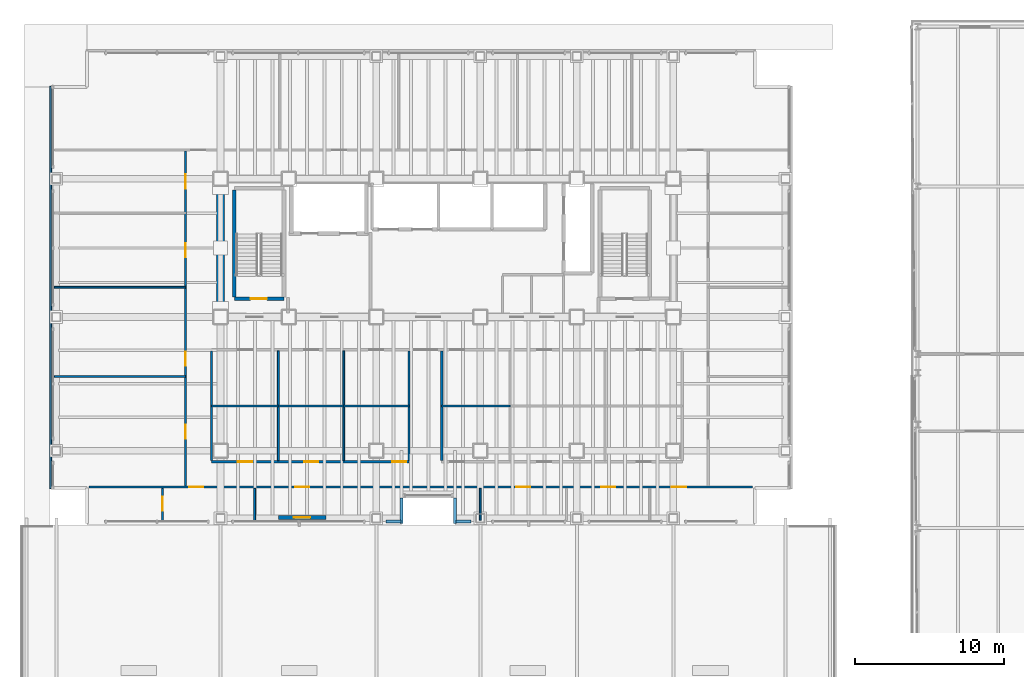
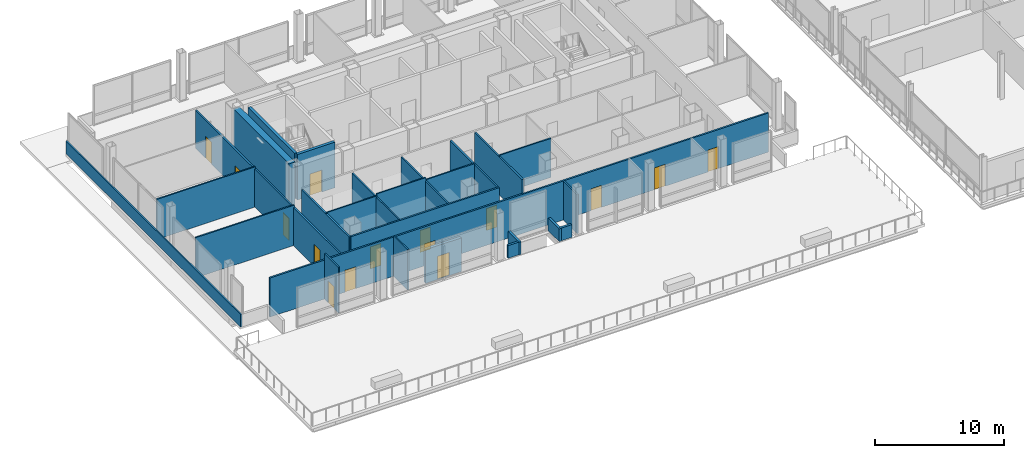
# One storey, part 26 of 34: 26 walls, 15 doors, 15 openings.
"""IFC4 building model written with IfcOpenShell, lengths in metres."""

from ifc_helpers import new_model, si_unit, direction, frame, frame_2d, origin, place, context, subcontext, project, spatial, rectangle, extrude, material, layer, layer_set, type_object, element, fill, save


model = new_model("IFC4")

# Units and contexts
model_context = context("Model", 3, precision=1e-05, world=origin(), true_north=direction((0.0, 1.0)))
body_context = subcontext(model_context, "Body", "Model", "MODEL_VIEW")
ifc_project = project(units=[si_unit("LENGTHUNIT", "METRE"), si_unit("AREAUNIT", "SQUARE_METRE"), si_unit("VOLUMEUNIT", "CUBIC_METRE"), si_unit("PLANEANGLEUNIT", "RADIAN"), si_unit("MASSUNIT", "GRAM", prefix="KILO")], contexts=[model_context])

# Site, building, storey
site_placement = place(None, origin())
site = spatial("IfcSite", under=ifc_project, at=site_placement, CompositionType="ELEMENT")
building_placement = place(site_placement, origin())
building = spatial("IfcBuilding", under=site, at=building_placement, Name="Noeulbin Bourse Tower", CompositionType="ELEMENT")
storey_placement = place(building_placement, frame((0.0, 0.0, 22.0)))
storey = spatial("IfcBuildingStorey", under=building, at=storey_placement, Name="L05", CompositionType="ELEMENT", Elevation=22.0)

# Wall
ifc_material_1 = material(Name="Concrete C60/75", Category="concrete")
ifc_layer_1 = layer(ifc_material_1, 0.550048828125)
ifc_layer_set_1 = layer_set([ifc_layer_1], Name="Concrete C60/75")
wall_type_1 = type_object("IfcWallType", Name="WAL-CORE-550", PredefinedType="SHEAR", material=ifc_layer_set_1)
wall_1_placement = place(storey_placement, frame((13.5, 29.35009765625, 0.0), z_axis=(0.0, 0.0, 1.0), x_axis=(0.0, 1.0, 0.0)))
element("IfcWall", 1, at=wall_1_placement, inside=storey, type_object=wall_type_1, Name="Rear Core West Shear Wall L05", PredefinedType="SHEAR", context=body_context, shape_type="SweptSolid", body=[
    extrude(rectangle(XDim=8.599853515625, YDim=0.550048828125, at=frame_2d((4.2998046875, 0.0))), origin(), (0.0, 0.0, 1.0), 4.320068359375),
])

# Wall, opening, door
ifc_material_2 = material(Name="Precast Concrete C40/50", Category="concrete")
ifc_layer_2 = layer(ifc_material_2, 0.25)
ifc_layer_set_2 = layer_set([ifc_layer_2], Name="Precast Concrete C40/50")
wall_type_2 = type_object("IfcWallType", Name="WAL-EXT-250", PredefinedType="STANDARD", material=ifc_layer_set_2)
wall_2_placement = place(storey_placement, frame((17.39990234375, 15.5, 0.0), z_axis=(0.0, 0.0, 1.0), x_axis=(1.0, 0.0, 0.0)))
wall_2 = element("IfcWall", 2, at=wall_2_placement, inside=storey, type_object=wall_type_2, Name="Podium Sky-Garden Threshold Wall L05", PredefinedType="STANDARD", context=body_context, shape_type="SweptSolid", body=[
    extrude(rectangle(XDim=3.2001953125, YDim=0.25, at=frame_2d((1.60009765625, 0.0))), origin(), (0.0, 0.0, 1.0), 3.199951171875),
])
opening_1_placement = place(wall_2_placement, frame((1.050048828125, 0.0, 0.0)))
opening_1 = element("IfcOpeningElement", 3, at=opening_1_placement, cuts=wall_2, Name="Opening BD-11", PredefinedType="OPENING", context=body_context, shape_type="SweptSolid", body=[
    extrude(rectangle(XDim=1.10009765625, YDim=2.199951171875, at=frame_2d((0.550048828125, 1.10009765625))), frame((0.0, 0.135009765625, 0.0), z_axis=(0.0, -1.0, 0.0), x_axis=(1.0, 0.0, 0.0)), (0.0, 0.0, 1.0), 0.27001953125),
])
ifc_material_3 = material(Name="Thermally Broken Aluminium Framed Glass", Category="aluminium")
door_type_1 = type_object("IfcDoorType", Name="DR-BAL-1100", OperationType="SINGLE_SWING_LEFT", PredefinedType="DOOR", material=ifc_material_3)
door_1_placement = place(opening_1_placement, origin())
door_1 = element("IfcDoor", 4, at=door_1_placement, inside=storey, type_object=door_type_1, Name="Podium Sky-Garden Access Door", OperationType="SINGLE_SWING_RIGHT", OverallHeight=2.199951171875, OverallWidth=1.10009765625, PredefinedType="DOOR", context=body_context, shape_type="SweptSolid", body=[
    extrude(rectangle(XDim=1.10009765625, YDim=2.199951171875, at=frame_2d((0.550048828125, 1.10009765625))), frame((0.0, 0.02490234375, 0.0), z_axis=(0.0, -1.0, 0.0), x_axis=(1.0, 0.0, 0.0)), (0.0, 0.0, 1.0), 0.050048828125),
])
fill(opening_1, door_1)

# Walls
ifc_material_4 = material(Name="Concrete C40/50", Category="concrete")
ifc_layer_3 = layer(ifc_material_4, 0.199951171875)
ifc_layer_set_3 = layer_set([ifc_layer_3], Name="Concrete C40/50")
wall_type_3 = type_object("IfcWallType", Name="WAL-PAR-200", PredefinedType="PARAPET", material=ifc_layer_set_3)
for number, where, z_axis, x_axis, name in (
    (5, (24.64501953125, 15.219970703125, 0.0), (0.0, 0.0, 1.0), (1.0, 0.0, 0.0), "Perimeter Pier Spandrel Parapet L05-S1"),
    (6, (29.35009765625, 15.219970703125, 0.0), (0.0, 0.0, 1.0), (1.0, 0.0, 0.0), "Perimeter Pier Spandrel Parapet L05-S2"),
):
    element("IfcWall", number, at=place(storey_placement, frame(where, z_axis=z_axis, x_axis=x_axis)), inside=storey, type_object=wall_type_3, Name=name, PredefinedType="PARAPET", context=body_context, shape_type="SweptSolid", body=[
        extrude(rectangle(XDim=1.0048828125, YDim=0.199951171875, at=frame_2d((0.50244140625, 0.0))), origin(), (0.0, 0.0, 1.0), 1.199951171875),
    ])
for number, where, z_axis, x_axis, name in (
    (7, (25.699951171875, 15.10009765625, 0.0), (0.0, 0.0, 1.0), (0.0, 1.0, 0.0), "Sky-Garden Recess Parapet L05-W"),
    (8, (29.300048828125, 16.800048828125, 0.0), (0.0, 0.0, 1.0), (0.0, -1.0, 0.0), "Sky-Garden Recess Parapet L05-E"),
):
    element("IfcWall", number, at=place(storey_placement, frame(where, z_axis=z_axis, x_axis=x_axis)), inside=storey, type_object=wall_type_3, Name=name, PredefinedType="PARAPET", context=body_context, shape_type="SweptSolid", body=[
        extrude(rectangle(XDim=1.699951171875, YDim=0.199951171875, at=frame_2d((0.85009765625, 0.0))), origin(), (0.0, 0.0, 1.0), 1.199951171875),
    ])
wall_3_placement = place(storey_placement, frame((2.070068359375, 17.449951171875, 0.0), z_axis=(0.0, 0.0, 1.0), x_axis=(0.0, 1.0, 0.0)))
element("IfcWall", 9, at=wall_3_placement, inside=storey, type_object=wall_type_3, Name="Tower Base West Step-Back Parapet L05", PredefinedType="PARAPET", context=body_context, shape_type="SweptSolid", body=[
    extrude(rectangle(XDim=27.10009765625, YDim=0.1201171875, at=frame_2d((13.550048828125, 0.0))), origin(), (0.0, 0.0, 1.0), 1.199951171875),
])
ifc_material_5 = material(Name="Steel Stud Gypsum Partition", Category="steel")
ifc_layer_4 = layer(ifc_material_5, 0.1201171875)
ifc_layer_set_4 = layer_set([ifc_layer_4], Name="Steel Stud Gypsum Partition")
wall_type_4 = type_object("IfcWallType", Name="WAL-PRT-120", PredefinedType="PARTITIONING", material=ifc_layer_set_4)
wall_4_placement = place(storey_placement, frame((12.89990234375, 23.0, 0.0), z_axis=(0.0, 0.0, 1.0), x_axis=(1.0, 0.0, 0.0)))
element("IfcWall", 10, at=wall_4_placement, inside=storey, type_object=wall_type_4, Name="Interior Partition Wall L05-07", PredefinedType="PARTITIONING", context=body_context, shape_type="SweptSolid", body=[
    extrude(rectangle(XDim=4.5, YDim=0.1201171875, at=frame_2d((2.25, 0.0))), origin(), (0.0, 0.0, 1.0), 3.699951171875),
])
wall_5_placement = place(storey_placement, frame((17.39990234375, 23.0, 0.0), z_axis=(0.0, 0.0, 1.0), x_axis=(1.0, 0.0, 0.0)))
element("IfcWall", 11, at=wall_5_placement, inside=storey, type_object=wall_type_4, Name="Interior Partition Wall L05-08", PredefinedType="PARTITIONING", context=body_context, shape_type="SweptSolid", body=[
    extrude(rectangle(XDim=4.400146484375, YDim=0.1201171875, at=frame_2d((2.2001953125, 0.0))), origin(), (0.0, 0.0, 1.0), 3.89990234375),
])
wall_6_placement = place(storey_placement, frame((21.800048828125, 23.0, 0.0), z_axis=(0.0, 0.0, 1.0), x_axis=(1.0, 0.0, 0.0)))
element("IfcWall", 12, at=wall_6_placement, inside=storey, type_object=wall_type_4, Name="Interior Partition Wall L05-09", PredefinedType="PARTITIONING", context=body_context, shape_type="SweptSolid", body=[
    extrude(rectangle(XDim=4.39990234375, YDim=0.1201171875, at=frame_2d((2.199951171875, 0.0))), origin(), (0.0, 0.0, 1.0), 3.699951171875),
])
wall_7_placement = place(storey_placement, frame((28.39990234375, 23.0, 0.0), z_axis=(0.0, 0.0, 1.0), x_axis=(1.0, 0.0, 0.0)))
element("IfcWall", 13, at=wall_7_placement, inside=storey, type_object=wall_type_4, Name="Interior Partition Wall L05-10", PredefinedType="PARTITIONING", context=body_context, shape_type="SweptSolid", body=[
    extrude(rectangle(XDim=4.60009765625, YDim=0.1201171875, at=frame_2d((2.300048828125, 0.0))), origin(), (0.0, 0.0, 1.0), 3.699951171875),
])
for number, where, z_axis, x_axis, name in (
    (14, (2.31005859375, 25.0, 0.0), (0.0, 0.0, 1.0), (1.0, 0.0, 0.0), "Interior Partition Wall L05-13"),
    (15, (2.31005859375, 31.0, 0.0), (0.0, 0.0, 1.0), (1.0, 0.0, 0.0), "Interior Partition Wall L05-14"),
):
    element("IfcWall", number, at=place(storey_placement, frame(where, z_axis=z_axis, x_axis=x_axis)), inside=storey, type_object=wall_type_4, Name=name, PredefinedType="PARTITIONING", context=body_context, shape_type="SweptSolid", body=[
        extrude(rectangle(XDim=8.83984375, YDim=0.1201171875, at=frame_2d((4.419921875, 0.0))), origin(), (0.0, 0.0, 1.0), 3.81201171875),
    ])

# Wall, opening, door
wall_8_placement = place(storey_placement, frame((9.60009765625, 15.31005859375, 0.0), z_axis=(0.0, 0.0, 1.0), x_axis=(0.0, 1.0, 0.0)))
wall_8 = element("IfcWall", 16, at=wall_8_placement, inside=storey, type_object=wall_type_4, Name="Interior Partition Wall L05-34", PredefinedType="PARTITIONING", context=body_context, shape_type="SweptSolid", body=[
    extrude(rectangle(XDim=2.155029296875, YDim=0.1201171875, at=frame_2d((1.07763671875, 0.0))), origin(), (0.0, 0.0, 1.0), 4.320068359375),
])
opening_2_placement = place(wall_8_placement, frame((0.64501953125, 0.0, 0.0)))
opening_2 = element("IfcOpeningElement", 17, at=opening_2_placement, cuts=wall_8, Name="Opening ID-09", PredefinedType="OPENING", context=body_context, shape_type="SweptSolid", body=[
    extrude(rectangle(XDim=0.949951171875, YDim=2.080078125, at=frame_2d((0.47509765625, 1.0400390625))), frame((0.0, 0.070068359375, 0.0), z_axis=(0.0, -1.0, 0.0), x_axis=(1.0, 0.0, 0.0)), (0.0, 0.0, 1.0), 0.14013671875),
])
ifc_material_6 = material(Name="Acoustic Solid-Core Timber", Category="wood")
door_type_2 = type_object("IfcDoorType", Name="DR-SINGLE-950", OperationType="SINGLE_SWING_LEFT", PredefinedType="DOOR", material=ifc_material_6)
door_2_placement = place(opening_2_placement, origin())
door_2 = element("IfcDoor", 18, at=door_2_placement, inside=storey, type_object=door_type_2, Name="Interior Door L05-08", OperationType="SINGLE_SWING_RIGHT", OverallHeight=2.080078125, OverallWidth=0.949951171875, PredefinedType="DOOR", context=body_context, shape_type="SweptSolid", body=[
    extrude(rectangle(XDim=0.949951171875, YDim=2.080078125, at=frame_2d((0.47509765625, 1.0400390625))), frame((0.0, 0.02490234375, 0.0), z_axis=(0.0, -1.0, 0.0), x_axis=(1.0, 0.0, 0.0)), (0.0, 0.0, 1.0), 0.050048828125),
])
fill(opening_2, door_2)

# Walls
wall_9_placement = place(storey_placement, frame((15.800048828125, 15.31005859375, 0.0), z_axis=(0.0, 0.0, 1.0), x_axis=(0.0, 1.0, 0.0)))
element("IfcWall", 19, at=wall_9_placement, inside=storey, type_object=wall_type_4, Name="Interior Partition Wall L05-35", PredefinedType="PARTITIONING", context=body_context, shape_type="SweptSolid", body=[
    extrude(rectangle(XDim=2.155029296875, YDim=0.1201171875, at=frame_2d((1.07763671875, 0.0))), origin(), (0.0, 0.0, 1.0), 3.81201171875),
])
wall_10_placement = place(storey_placement, frame((31.0, 15.31005859375, 0.0), z_axis=(0.0, 0.0, 1.0), x_axis=(0.0, 1.0, 0.0)))
element("IfcWall", 20, at=wall_10_placement, inside=storey, type_object=wall_type_4, Name="Interior Partition Wall L05-36", PredefinedType="PARTITIONING", context=body_context, shape_type="SweptSolid", body=[
    extrude(rectangle(XDim=2.155029296875, YDim=0.1201171875, at=frame_2d((1.07763671875, 0.0))), origin(), (0.0, 0.0, 1.0), 3.699951171875),
])
for number, where, z_axis, x_axis, name in (
    (21, (17.39990234375, 19.3349609375, 0.0), (0.0, 0.0, 1.0), (0.0, 1.0, 0.0), "Interior Partition Wall L05-39"),
    (22, (21.800048828125, 19.3349609375, 0.0), (0.0, 0.0, 1.0), (0.0, 1.0, 0.0), "Interior Partition Wall L05-40"),
):
    element("IfcWall", number, at=place(storey_placement, frame(where, z_axis=z_axis, x_axis=x_axis)), inside=storey, type_object=wall_type_4, Name=name, PredefinedType="PARTITIONING", context=body_context, shape_type="SweptSolid", body=[
        extrude(rectangle(XDim=7.380126953125, YDim=0.1201171875, at=frame_2d((3.68994140625, 0.0))), origin(), (0.0, 0.0, 1.0), 3.60009765625),
    ])

# Wall, openings, doors
ifc_material_7 = material(Name="Steel Stud Acoustic Gypsum Board", Category="steel")
ifc_layer_5 = layer(ifc_material_7, 0.14990234375)
ifc_layer_set_5 = layer_set([ifc_layer_5], Name="Steel Stud Acoustic Gypsum Board")
wall_type_5 = type_object("IfcWallType", Name="WAL-PRT-150", PredefinedType="PARTITIONING", material=ifc_layer_set_5)
wall_11_placement = place(storey_placement, frame((4.659912109375, 17.550048828125, 0.0), z_axis=(0.0, 0.0, 1.0), x_axis=(1.0, 0.0, 0.0)))
wall_11 = element("IfcWall", 23, at=wall_11_placement, inside=storey, type_object=wall_type_5, Name="Interior Partition Wall L05-04", PredefinedType="PARTITIONING", context=body_context, shape_type="SweptSolid", body=[
    extrude(rectangle(XDim=44.68017578125, YDim=0.14990234375, at=frame_2d((22.340087890625, 0.0))), origin(), (0.0, 0.0, 1.0), 3.699951171875),
])
opening_3_placement = place(wall_11_placement, frame((6.739990234375, 0.0, 0.0)))
opening_3 = element("IfcOpeningElement", 24, at=opening_3_placement, cuts=wall_11, Name="Opening ID-09", PredefinedType="OPENING", context=body_context, shape_type="SweptSolid", body=[
    extrude(rectangle(XDim=0.949951171875, YDim=2.080078125, at=frame_2d((0.47509765625, 1.0400390625))), frame((0.0, 0.0849609375, 0.0), z_axis=(0.0, -1.0, 0.0), x_axis=(1.0, 0.0, 0.0)), (0.0, 0.0, 1.0), 0.169921875),
])
opening_4_placement = place(wall_11_placement, frame((13.864990234375, 0.0, 0.0)))
opening_4 = element("IfcOpeningElement", 25, at=opening_4_placement, cuts=wall_11, Name="Opening ID-09", PredefinedType="OPENING", context=body_context, shape_type="SweptSolid", body=[
    extrude(rectangle(XDim=0.949951171875, YDim=2.080078125, at=frame_2d((0.47509765625, 1.0400390625))), frame((0.0, 0.0849609375, 0.0), z_axis=(0.0, -1.0, 0.0), x_axis=(1.0, 0.0, 0.0)), (0.0, 0.0, 1.0), 0.169921875),
])
opening_5_placement = place(wall_11_placement, frame((28.764892578125, 0.0, 0.0)))
opening_5 = element("IfcOpeningElement", 26, at=opening_5_placement, cuts=wall_11, Name="Opening ID-09", PredefinedType="OPENING", context=body_context, shape_type="SweptSolid", body=[
    extrude(rectangle(XDim=0.949951171875, YDim=2.080078125, at=frame_2d((0.47509765625, 1.0400390625))), frame((0.0, 0.0849609375, 0.0), z_axis=(0.0, -1.0, 0.0), x_axis=(1.0, 0.0, 0.0)), (0.0, 0.0, 1.0), 0.169921875),
])
opening_6_placement = place(wall_11_placement, frame((34.465087890625, 0.0, 0.0)))
opening_6 = element("IfcOpeningElement", 27, at=opening_6_placement, cuts=wall_11, Name="Opening ID-09", PredefinedType="OPENING", context=body_context, shape_type="SweptSolid", body=[
    extrude(rectangle(XDim=0.949951171875, YDim=2.080078125, at=frame_2d((0.47509765625, 1.0400390625))), frame((0.0, 0.0849609375, 0.0), z_axis=(0.0, -1.0, 0.0), x_axis=(1.0, 0.0, 0.0)), (0.0, 0.0, 1.0), 0.169921875),
])
opening_7_placement = place(wall_11_placement, frame((39.239990234375, 0.0, 0.0)))
opening_7 = element("IfcOpeningElement", 28, at=opening_7_placement, cuts=wall_11, Name="Opening ID-09", PredefinedType="OPENING", context=body_context, shape_type="SweptSolid", body=[
    extrude(rectangle(XDim=0.949951171875, YDim=2.080078125, at=frame_2d((0.47509765625, 1.0400390625))), frame((0.0, 0.0849609375, 0.0), z_axis=(0.0, -1.0, 0.0), x_axis=(1.0, 0.0, 0.0)), (0.0, 0.0, 1.0), 0.169921875),
])
door_3_placement = place(opening_3_placement, origin())
door_3 = element("IfcDoor", 29, at=door_3_placement, inside=storey, type_object=door_type_2, Name="Interior Door L05-09", OperationType="SINGLE_SWING_LEFT", OverallHeight=2.080078125, OverallWidth=0.949951171875, PredefinedType="DOOR", context=body_context, shape_type="SweptSolid", body=[
    extrude(rectangle(XDim=0.949951171875, YDim=2.080078125, at=frame_2d((0.47509765625, 1.0400390625))), frame((0.0, 0.02490234375, 0.0), z_axis=(0.0, -1.0, 0.0), x_axis=(1.0, 0.0, 0.0)), (0.0, 0.0, 1.0), 0.050048828125),
])
fill(opening_3, door_3)
door_4_placement = place(opening_4_placement, origin())
door_4 = element("IfcDoor", 30, at=door_4_placement, inside=storey, type_object=door_type_2, Name="Interior Door L05-10", OperationType="SINGLE_SWING_RIGHT", OverallHeight=2.080078125, OverallWidth=0.949951171875, PredefinedType="DOOR", context=body_context, shape_type="SweptSolid", body=[
    extrude(rectangle(XDim=0.949951171875, YDim=2.080078125, at=frame_2d((0.47509765625, 1.0400390625))), frame((0.0, 0.02490234375, 0.0), z_axis=(0.0, -1.0, 0.0), x_axis=(1.0, 0.0, 0.0)), (0.0, 0.0, 1.0), 0.050048828125),
])
fill(opening_4, door_4)
door_5_placement = place(opening_5_placement, origin())
door_5 = element("IfcDoor", 31, at=door_5_placement, inside=storey, type_object=door_type_2, Name="Interior Door L05-11", OperationType="SINGLE_SWING_LEFT", OverallHeight=2.080078125, OverallWidth=0.949951171875, PredefinedType="DOOR", context=body_context, shape_type="SweptSolid", body=[
    extrude(rectangle(XDim=0.949951171875, YDim=2.080078125, at=frame_2d((0.47509765625, 1.0400390625))), frame((0.0, 0.02490234375, 0.0), z_axis=(0.0, -1.0, 0.0), x_axis=(1.0, 0.0, 0.0)), (0.0, 0.0, 1.0), 0.050048828125),
])
fill(opening_5, door_5)
door_6_placement = place(opening_6_placement, origin())
door_6 = element("IfcDoor", 32, at=door_6_placement, inside=storey, type_object=door_type_2, Name="Interior Door L05-12", OperationType="SINGLE_SWING_RIGHT", OverallHeight=2.080078125, OverallWidth=0.949951171875, PredefinedType="DOOR", context=body_context, shape_type="SweptSolid", body=[
    extrude(rectangle(XDim=0.949951171875, YDim=2.080078125, at=frame_2d((0.47509765625, 1.0400390625))), frame((0.0, 0.02490234375, 0.0), z_axis=(0.0, -1.0, 0.0), x_axis=(1.0, 0.0, 0.0)), (0.0, 0.0, 1.0), 0.050048828125),
])
fill(opening_6, door_6)
door_7_placement = place(opening_7_placement, origin())
door_7 = element("IfcDoor", 33, at=door_7_placement, inside=storey, type_object=door_type_2, Name="Interior Door L05-13", OperationType="SINGLE_SWING_LEFT", OverallHeight=2.080078125, OverallWidth=0.949951171875, PredefinedType="DOOR", context=body_context, shape_type="SweptSolid", body=[
    extrude(rectangle(XDim=0.949951171875, YDim=2.080078125, at=frame_2d((0.47509765625, 1.0400390625))), frame((0.0, 0.02490234375, 0.0), z_axis=(0.0, -1.0, 0.0), x_axis=(1.0, 0.0, 0.0)), (0.0, 0.0, 1.0), 0.050048828125),
])
fill(opening_7, door_7)

wall_12_placement = place(storey_placement, frame((12.89990234375, 19.25, 0.0), z_axis=(0.0, 0.0, 1.0), x_axis=(1.0, 0.0, 0.0)))
wall_12 = element("IfcWall", 34, at=wall_12_placement, inside=storey, type_object=wall_type_5, Name="Interior Partition Wall L05-05", PredefinedType="PARTITIONING", context=body_context, shape_type="SweptSolid", body=[
    extrude(rectangle(XDim=13.300048828125, YDim=0.14990234375, at=frame_2d((6.64990234375, 0.0))), origin(), (0.0, 0.0, 1.0), 3.699951171875),
])
opening_8_placement = place(wall_12_placement, frame((1.77490234375, 0.0, 0.0)))
opening_8 = element("IfcOpeningElement", 35, at=opening_8_placement, cuts=wall_12, Name="Opening ID-09", PredefinedType="OPENING", context=body_context, shape_type="SweptSolid", body=[
    extrude(rectangle(XDim=0.949951171875, YDim=2.080078125, at=frame_2d((0.47509765625, 1.0400390625))), frame((0.0, 0.0849609375, 0.0), z_axis=(0.0, -1.0, 0.0), x_axis=(1.0, 0.0, 0.0)), (0.0, 0.0, 1.0), 0.169921875),
])
opening_9_placement = place(wall_12_placement, frame((6.22509765625, 0.0, 0.0)))
opening_9 = element("IfcOpeningElement", 36, at=opening_9_placement, cuts=wall_12, Name="Opening ID-09", PredefinedType="OPENING", context=body_context, shape_type="SweptSolid", body=[
    extrude(rectangle(XDim=0.949951171875, YDim=2.080078125, at=frame_2d((0.47509765625, 1.0400390625))), frame((0.0, 0.0849609375, 0.0), z_axis=(0.0, -1.0, 0.0), x_axis=(1.0, 0.0, 0.0)), (0.0, 0.0, 1.0), 0.169921875),
])
opening_10_placement = place(wall_12_placement, frame((12.175048828125, 0.0, 0.0)))
opening_10 = element("IfcOpeningElement", 37, at=opening_10_placement, cuts=wall_12, Name="Opening ID-09", PredefinedType="OPENING", context=body_context, shape_type="SweptSolid", body=[
    extrude(rectangle(XDim=0.949951171875, YDim=2.080078125, at=frame_2d((0.47509765625, 1.0400390625))), frame((0.0, 0.0849609375, 0.0), z_axis=(0.0, -1.0, 0.0), x_axis=(1.0, 0.0, 0.0)), (0.0, 0.0, 1.0), 0.169921875),
])
door_8_placement = place(opening_8_placement, origin())
door_8 = element("IfcDoor", 38, at=door_8_placement, inside=storey, type_object=door_type_2, Name="Interior Door L05-15", OperationType="SINGLE_SWING_LEFT", OverallHeight=2.080078125, OverallWidth=0.949951171875, PredefinedType="DOOR", context=body_context, shape_type="SweptSolid", body=[
    extrude(rectangle(XDim=0.949951171875, YDim=2.080078125, at=frame_2d((0.47509765625, 1.0400390625))), frame((0.0, 0.02490234375, 0.0), z_axis=(0.0, -1.0, 0.0), x_axis=(1.0, 0.0, 0.0)), (0.0, 0.0, 1.0), 0.050048828125),
])
fill(opening_8, door_8)
door_9_placement = place(opening_9_placement, origin())
door_9 = element("IfcDoor", 39, at=door_9_placement, inside=storey, type_object=door_type_2, Name="Interior Door L05-17", OperationType="SINGLE_SWING_LEFT", OverallHeight=2.080078125, OverallWidth=0.949951171875, PredefinedType="DOOR", context=body_context, shape_type="SweptSolid", body=[
    extrude(rectangle(XDim=0.949951171875, YDim=2.080078125, at=frame_2d((0.47509765625, 1.0400390625))), frame((0.0, 0.02490234375, 0.0), z_axis=(0.0, -1.0, 0.0), x_axis=(1.0, 0.0, 0.0)), (0.0, 0.0, 1.0), 0.050048828125),
])
fill(opening_9, door_9)
door_10_placement = place(opening_10_placement, origin())
door_10 = element("IfcDoor", 40, at=door_10_placement, inside=storey, type_object=door_type_2, Name="Interior Door L05-19", OperationType="SINGLE_SWING_LEFT", OverallHeight=2.080078125, OverallWidth=0.949951171875, PredefinedType="DOOR", context=body_context, shape_type="SweptSolid", body=[
    extrude(rectangle(XDim=0.949951171875, YDim=2.080078125, at=frame_2d((0.47509765625, 1.0400390625))), frame((0.0, 0.02490234375, 0.0), z_axis=(0.0, -1.0, 0.0), x_axis=(1.0, 0.0, 0.0)), (0.0, 0.0, 1.0), 0.050048828125),
])
fill(opening_10, door_10)

# Walls
for number, where, z_axis, x_axis, name in (
    (41, (26.199951171875, 19.3349609375, 0.0), (0.0, 0.0, 1.0), (0.0, 1.0, 0.0), "Interior Partition Wall L05-28"),
    (42, (28.39990234375, 19.3349609375, 0.0), (0.0, 0.0, 1.0), (0.0, 1.0, 0.0), "Interior Partition Wall L05-29"),
):
    element("IfcWall", number, at=place(storey_placement, frame(where, z_axis=z_axis, x_axis=x_axis)), inside=storey, type_object=wall_type_5, Name=name, PredefinedType="PARTITIONING", context=body_context, shape_type="SweptSolid", body=[
        extrude(rectangle(XDim=7.380126953125, YDim=0.14990234375, at=frame_2d((3.68994140625, 0.0))), origin(), (0.0, 0.0, 1.0), 3.60009765625),
    ])

# Wall, openings, doors
wall_13_placement = place(storey_placement, frame((11.14990234375, 17.635009765625, 0.0), z_axis=(0.0, 0.0, 1.0), x_axis=(0.0, 1.0, 0.0)))
wall_13 = element("IfcWall", 43, at=wall_13_placement, inside=storey, type_object=wall_type_5, Name="Interior Partition Wall L05-30", PredefinedType="PARTITIONING", context=body_context, shape_type="SweptSolid", body=[
    extrude(rectangle(XDim=22.530029296875, YDim=0.14990234375, at=frame_2d((11.26513671875, 0.0))), origin(), (0.0, 0.0, 1.0), 3.60009765625),
])
opening_11_placement = place(wall_13_placement, frame((3.1650390625, 0.0, 0.0)))
opening_11 = element("IfcOpeningElement", 44, at=opening_11_placement, cuts=wall_13, Name="Opening ID-09", PredefinedType="OPENING", context=body_context, shape_type="SweptSolid", body=[
    extrude(rectangle(XDim=0.949951171875, YDim=2.080078125, at=frame_2d((0.47509765625, 1.0400390625))), frame((0.0, 0.0849609375, 0.0), z_axis=(0.0, -1.0, 0.0), x_axis=(1.0, 0.0, 0.0)), (0.0, 0.0, 1.0), 0.169921875),
])
opening_12_placement = place(wall_13_placement, frame((8.090087890625, 0.0, 0.0)))
opening_12 = element("IfcOpeningElement", 45, at=opening_12_placement, cuts=wall_13, Name="Opening ID-09", PredefinedType="OPENING", context=body_context, shape_type="SweptSolid", body=[
    extrude(rectangle(XDim=0.949951171875, YDim=2.080078125, at=frame_2d((0.47509765625, 1.0400390625))), frame((0.0, 0.0849609375, 0.0), z_axis=(0.0, -1.0, 0.0), x_axis=(1.0, 0.0, 0.0)), (0.0, 0.0, 1.0), 0.169921875),
])
opening_13_placement = place(wall_13_placement, frame((15.389892578125, 0.0, 0.0)))
opening_13 = element("IfcOpeningElement", 46, at=opening_13_placement, cuts=wall_13, Name="Opening ID-09", PredefinedType="OPENING", context=body_context, shape_type="SweptSolid", body=[
    extrude(rectangle(XDim=0.949951171875, YDim=2.080078125, at=frame_2d((0.47509765625, 1.0400390625))), frame((0.0, 0.0849609375, 0.0), z_axis=(0.0, -1.0, 0.0), x_axis=(1.0, 0.0, 0.0)), (0.0, 0.0, 1.0), 0.169921875),
])
opening_14_placement = place(wall_13_placement, frame((20.014892578125, 0.0, 0.0)))
opening_14 = element("IfcOpeningElement", 47, at=opening_14_placement, cuts=wall_13, Name="Opening ID-09", PredefinedType="OPENING", context=body_context, shape_type="SweptSolid", body=[
    extrude(rectangle(XDim=0.949951171875, YDim=2.080078125, at=frame_2d((0.47509765625, 1.0400390625))), frame((0.0, 0.0849609375, 0.0), z_axis=(0.0, -1.0, 0.0), x_axis=(1.0, 0.0, 0.0)), (0.0, 0.0, 1.0), 0.169921875),
])
door_11_placement = place(opening_11_placement, origin())
door_11 = element("IfcDoor", 48, at=door_11_placement, inside=storey, type_object=door_type_2, Name="Interior Door L05-26", OperationType="SINGLE_SWING_RIGHT", OverallHeight=2.080078125, OverallWidth=0.949951171875, PredefinedType="DOOR", context=body_context, shape_type="SweptSolid", body=[
    extrude(rectangle(XDim=0.949951171875, YDim=2.080078125, at=frame_2d((0.47509765625, 1.0400390625))), frame((0.0, 0.02490234375, 0.0), z_axis=(0.0, -1.0, 0.0), x_axis=(1.0, 0.0, 0.0)), (0.0, 0.0, 1.0), 0.050048828125),
])
fill(opening_11, door_11)
door_12_placement = place(opening_12_placement, origin())
door_12 = element("IfcDoor", 49, at=door_12_placement, inside=storey, type_object=door_type_2, Name="Interior Door L05-27", OperationType="SINGLE_SWING_LEFT", OverallHeight=2.080078125, OverallWidth=0.949951171875, PredefinedType="DOOR", context=body_context, shape_type="SweptSolid", body=[
    extrude(rectangle(XDim=0.949951171875, YDim=2.080078125, at=frame_2d((0.47509765625, 1.0400390625))), frame((0.0, 0.02490234375, 0.0), z_axis=(0.0, -1.0, 0.0), x_axis=(1.0, 0.0, 0.0)), (0.0, 0.0, 1.0), 0.050048828125),
])
fill(opening_12, door_12)
door_13_placement = place(opening_13_placement, origin())
door_13 = element("IfcDoor", 50, at=door_13_placement, inside=storey, type_object=door_type_2, Name="Interior Door L05-28", OperationType="SINGLE_SWING_RIGHT", OverallHeight=2.080078125, OverallWidth=0.949951171875, PredefinedType="DOOR", context=body_context, shape_type="SweptSolid", body=[
    extrude(rectangle(XDim=0.949951171875, YDim=2.080078125, at=frame_2d((0.47509765625, 1.0400390625))), frame((0.0, 0.02490234375, 0.0), z_axis=(0.0, -1.0, 0.0), x_axis=(1.0, 0.0, 0.0)), (0.0, 0.0, 1.0), 0.050048828125),
])
fill(opening_13, door_13)
door_14_placement = place(opening_14_placement, origin())
door_14 = element("IfcDoor", 51, at=door_14_placement, inside=storey, type_object=door_type_2, Name="Interior Door L05-29", OperationType="SINGLE_SWING_LEFT", OverallHeight=2.080078125, OverallWidth=0.949951171875, PredefinedType="DOOR", context=body_context, shape_type="SweptSolid", body=[
    extrude(rectangle(XDim=0.949951171875, YDim=2.080078125, at=frame_2d((0.47509765625, 1.0400390625))), frame((0.0, 0.02490234375, 0.0), z_axis=(0.0, -1.0, 0.0), x_axis=(1.0, 0.0, 0.0)), (0.0, 0.0, 1.0), 0.050048828125),
])
fill(opening_14, door_14)

# Wall
wall_14_placement = place(storey_placement, frame((12.89990234375, 19.3349609375, 0.0), z_axis=(0.0, 0.0, 1.0), x_axis=(0.0, 1.0, 0.0)))
element("IfcWall", 52, at=wall_14_placement, inside=storey, type_object=wall_type_5, Name="Interior Partition Wall L05-31", PredefinedType="PARTITIONING", context=body_context, shape_type="SweptSolid", body=[
    extrude(rectangle(XDim=7.380126953125, YDim=0.14990234375, at=frame_2d((3.68994140625, 0.0))), origin(), (0.0, 0.0, 1.0), 3.60009765625),
])

# Wall, opening, door
ifc_layer_6 = layer(ifc_material_4, 0.25)
ifc_layer_set_6 = layer_set([ifc_layer_6], Name="Concrete C40/50")
wall_type_6 = type_object("IfcWallType", Name="WAL-SHFT-250", PredefinedType="STANDARD", material=ifc_layer_set_6)
wall_15_placement = place(storey_placement, frame((14.429931640625, 30.235107421875, 0.0), z_axis=(0.0, 0.0, 1.0), x_axis=(1.0, 0.0, 0.0)))
wall_15 = element("IfcWall", 53, at=wall_15_placement, inside=storey, type_object=wall_type_6, Name="Stair ST-1 South Shaft Wall L05", PredefinedType="STANDARD", context=body_context, shape_type="SweptSolid", body=[
    extrude(rectangle(XDim=3.340087890625, YDim=0.25, at=frame_2d((1.669921875, 0.0))), origin(), (0.0, 0.0, 1.0), 4.320068359375),
])
opening_15_placement = place(wall_15_placement, frame((1.10009765625, 0.0, 0.0)))
opening_15 = element("IfcOpeningElement", 54, at=opening_15_placement, cuts=wall_15, Name="Opening FD-11", PredefinedType="OPENING", context=body_context, shape_type="SweptSolid", body=[
    extrude(rectangle(XDim=1.10009765625, YDim=2.080078125, at=frame_2d((0.550048828125, 1.0400390625))), frame((0.0, 0.135009765625, 0.0), z_axis=(0.0, -1.0, 0.0), x_axis=(1.0, 0.0, 0.0)), (0.0, 0.0, 1.0), 0.27001953125),
])
ifc_material_8 = material(Name="Fire-Rated Insulated Steel", Category="steel")
door_type_3 = type_object("IfcDoorType", Name="DR-FD60-1100", OperationType="SINGLE_SWING_LEFT", PredefinedType="DOOR", material=ifc_material_8)
door_15_placement = place(opening_15_placement, origin())
door_15 = element("IfcDoor", 55, at=door_15_placement, inside=storey, type_object=door_type_3, Name="Protected Stair Entry Door ST1-L05", OperationType="SINGLE_SWING_LEFT", OverallHeight=2.080078125, OverallWidth=1.10009765625, PredefinedType="DOOR", context=body_context, shape_type="SweptSolid", body=[
    extrude(rectangle(XDim=1.10009765625, YDim=2.080078125, at=frame_2d((0.550048828125, 1.0400390625))), frame((0.0, 0.02490234375, 0.0), z_axis=(0.0, -1.0, 0.0), x_axis=(1.0, 0.0, 0.0)), (0.0, 0.0, 1.0), 0.050048828125),
])
fill(opening_15, door_15)

# Wall
wall_16_placement = place(storey_placement, frame((14.425048828125, 30.360107421875, 0.0), z_axis=(0.0, 0.0, 1.0), x_axis=(0.0, 1.0, 0.0)))
element("IfcWall", 56, at=wall_16_placement, inside=storey, type_object=wall_type_6, Name="Stair ST-1 West Shaft Wall L05", PredefinedType="STANDARD", context=body_context, shape_type="SweptSolid", body=[
    extrude(rectangle(XDim=7.183837890625, YDim=0.25, at=frame_2d((3.591796875, 0.0))), origin(), (0.0, 0.0, 1.0), 4.320068359375),
])

save(model, "model.ifc")
